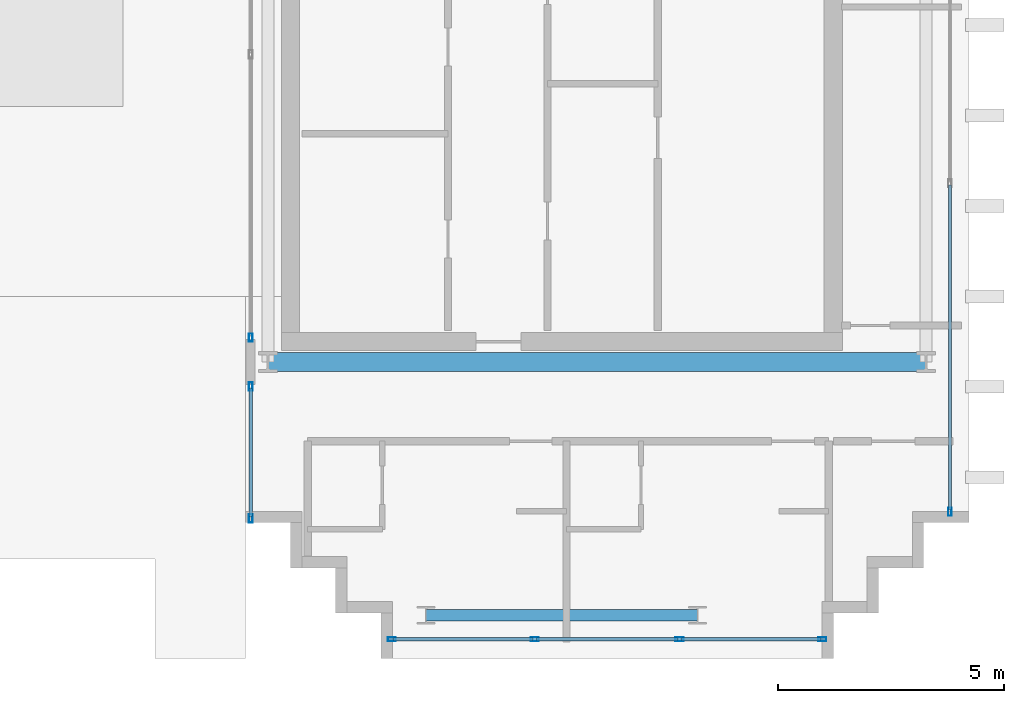
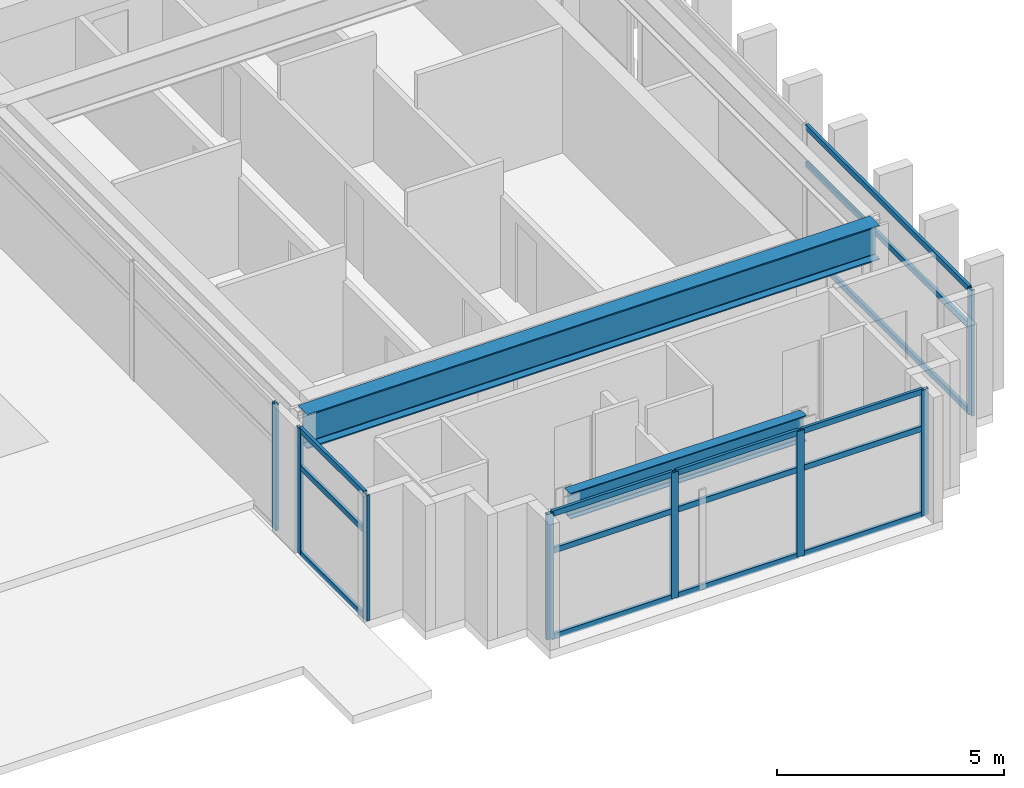
# One storey, part 8 of 25: 23 members, 2 beams, 4 elements without a shape of their own.
"""IFC4 building model written with IfcOpenShell, lengths in metres."""

from ifc_helpers import new_model, si_unit, direction, frame, origin, origin_2d, place, context, subcontext, project, spatial, hollow_rectangle, i_section, extrude, source, transform, mapped, material, layer, layer_set, material_profile, profile_set, type_object, element, aggregate, save


model = new_model("IFC4")

# Units and contexts
model_context = context("Model", 3, precision=1e-05, world=origin(), true_north=direction((0.0, 1.0)))
body_context = subcontext(model_context, "Body", "Model", "MODEL_VIEW")
ifc_project = project(units=[si_unit("LENGTHUNIT", "METRE"), si_unit("AREAUNIT", "SQUARE_METRE"), si_unit("VOLUMEUNIT", "CUBIC_METRE"), si_unit("PLANEANGLEUNIT", "RADIAN"), si_unit("MASSUNIT", "GRAM", prefix="KILO")], contexts=[model_context])

# Site, building, storey
site_placement = place(None, origin())
site = spatial("IfcSite", under=ifc_project, at=site_placement, CompositionType="ELEMENT")
building_placement = place(site_placement, origin())
building = spatial("IfcBuilding", under=site, at=building_placement, Name="Ocotamira Hotel", CompositionType="ELEMENT")
storey_placement = place(building_placement, frame((0.0, 0.0, 250.800048828125)))
storey = spatial("IfcBuildingStorey", under=building, at=storey_placement, Name="L63", CompositionType="ELEMENT", Elevation=250.800048828125)

# Beams
ifc_material_1 = material(Name="Steel ASTM A992 Grade 50", Category="steel")
ifc_material_profile_1 = material_profile(ifc_material_1, i_section(OverallWidth=0.41796875, OverallDepth=0.927001953125, WebThickness=0.019287109375, FlangeThickness=0.031982421875, FilletRadius=0.02392578125, at=origin_2d()), Name="W36X231")
ifc_profile_set_1 = profile_set([ifc_material_profile_1], Name="Steel ASTM A992 Grade 50")
beam_type_1 = type_object("IfcBeamType", Name="BM-GIRD-W36X231", PredefinedType="BEAM", material=ifc_profile_set_1)
shared_shape_1 = source(origin(), body_context, "Body", "SweptSolid", [
    extrude(i_section(OverallWidth=0.41796875, OverallDepth=0.927001953125, WebThickness=0.019287109375, FlangeThickness=0.031982421875, FilletRadius=0.02392578125, at=origin_2d()), origin(), (0.0, 0.0, 1.0), 14.550048828125),
])
beam_1_placement = place(storey_placement, frame((40.5, 14.550048828125, 2.91650390625), z_axis=(1.0, 0.0, 0.0), x_axis=(0.0, 1.0, 0.0)))
element("IfcBeam", 1, at=beam_1_placement, inside=storey, type_object=beam_type_1, Name="L63 Girder Y14.55 X40.5-55.05", PredefinedType="BEAM", context=body_context, shape_type="MappedRepresentation", body=[
    mapped(shared_shape_1, transform((0.0, 0.0, 0.0), scale=1.0)),
])
ifc_material_profile_2 = material_profile(ifc_material_1, i_section(OverallWidth=0.256103515625, OverallDepth=0.693115234375, WebThickness=0.014404296875, FlangeThickness=0.023681640625, FilletRadius=0.01611328125, at=origin_2d()), Name="W27X114")
ifc_profile_set_2 = profile_set([ifc_material_profile_2], Name="Steel ASTM A992 Grade 50")
beam_type_2 = type_object("IfcBeamType", Name="BM-PRIM-W27X114", PredefinedType="BEAM", material=ifc_profile_set_2)
shared_shape_2 = source(origin(), body_context, "Body", "SweptSolid", [
    extrude(i_section(OverallWidth=0.256103515625, OverallDepth=0.693115234375, WebThickness=0.014404296875, FlangeThickness=0.023681640625, FilletRadius=0.01611328125, at=origin_2d()), origin(), (0.0, 0.0, 1.0), 6.0),
])
beam_2_placement = place(storey_placement, frame((44.0, 8.949951171875, 3.033447265625), z_axis=(1.0, 0.0, 0.0), x_axis=(0.0, 1.0, 0.0)))
element("IfcBeam", 2, at=beam_2_placement, inside=storey, type_object=beam_type_2, Name="L63 Girder Y8.95 X44-50", PredefinedType="BEAM", context=body_context, shape_type="MappedRepresentation", body=[
    mapped(shared_shape_2, transform((0.0, 0.0, 0.0), scale=1.0)),
])

# Curtain wall, members
ifc_material_2 = material(Name="Anodised pale-metal aluminium and solar glass", Category="aluminium")
ifc_layer = layer(ifc_material_2, 0.2099609375)
ifc_layer_set = layer_set([ifc_layer], Name="Anodised pale-metal aluminium and solar glass")
curtain_wall_type = type_object("IfcCurtainWallType", Name="CW-SYS7-PEAK", PredefinedType="NOTDEFINED", material=ifc_layer_set)
curtain_wall_1_placement = place(storey_placement, origin())
curtain_wall_1 = element("IfcCurtainWall", 3, at=curtain_wall_1_placement, inside=storey, type_object=curtain_wall_type, Name="L63 Curtain Wall CW-7 CW-L63-ES", PredefinedType="NOTDEFINED")
ifc_material_3 = material(Name="Anodised pale-metal aluminium 6063-T6", Category="aluminium")
ifc_material_profile_3 = material_profile(ifc_material_3, hollow_rectangle(XDim=0.080078125, YDim=0.179931640625, WallThickness=0.006103515625, at=origin_2d()), Name="HSS180X80X6")
ifc_profile_set_3 = profile_set([ifc_material_profile_3], Name="Anodised pale-metal aluminium 6063-T6")
member_type_1 = type_object("IfcMemberType", Name="CWM-180X75", PredefinedType="MULLION", material=ifc_profile_set_3)
shared_shape_3 = source(origin(), body_context, "Body", "SweptSolid", [
    extrude(hollow_rectangle(XDim=0.080078125, YDim=0.179931640625, WallThickness=0.006103515625, at=origin_2d()), origin(), (0.0, 0.0, 1.0), 3.3798828125),
])
member_1_placement = place(storey_placement, frame((43.239990234375, 8.419921875, 0.0), z_axis=(0.0, 0.0, 1.0), x_axis=(0.0, 1.0, 0.0)))
member_1 = element("IfcMember", 4, at=member_1_placement, type_object=member_type_1, Name="CW-7 mullion 1", PredefinedType="MULLION", context=body_context, shape_type="MappedRepresentation", body=[
    mapped(shared_shape_3, transform((0.0, 0.0, 0.0), scale=1.0)),
])
member_2_placement = place(storey_placement, frame((46.39990234375, 8.419921875, 0.0), z_axis=(0.0, 0.0, 1.0), x_axis=(0.0, 1.0, 0.0)))
member_2 = element("IfcMember", 5, at=member_2_placement, type_object=member_type_1, Name="CW-7 mullion 2", PredefinedType="MULLION", context=body_context, shape_type="MappedRepresentation", body=[
    mapped(shared_shape_3, transform((0.0, 0.0, 0.0), scale=1.0)),
])
member_3_placement = place(storey_placement, frame((49.60009765625, 8.419921875, 0.0), z_axis=(0.0, 0.0, 1.0), x_axis=(0.0, 1.0, 0.0)))
member_3 = element("IfcMember", 6, at=member_3_placement, type_object=member_type_1, Name="CW-7 mullion 3", PredefinedType="MULLION", context=body_context, shape_type="MappedRepresentation", body=[
    mapped(shared_shape_3, transform((0.0, 0.0, 0.0), scale=1.0)),
])
member_4_placement = place(storey_placement, frame((52.760009765625, 8.419921875, 0.0), z_axis=(0.0, 0.0, 1.0), x_axis=(0.0, 1.0, 0.0)))
member_4 = element("IfcMember", 7, at=member_4_placement, type_object=member_type_1, Name="CW-7 mullion 4", PredefinedType="MULLION", context=body_context, shape_type="MappedRepresentation", body=[
    mapped(shared_shape_3, transform((0.0, 0.0, 0.0), scale=1.0)),
])

# Curtain wall, member
curtain_wall_2_placement = place(storey_placement, origin())
curtain_wall_2 = element("IfcCurtainWall", 8, at=curtain_wall_2_placement, inside=storey, type_object=curtain_wall_type, Name="L63 Curtain Wall CW-7 CW-L63-EO1", PredefinedType="NOTDEFINED")
member_5_placement = place(storey_placement, frame((55.580078125, 11.239990234375, 0.0), z_axis=(0.0, 0.0, 1.0), x_axis=(-1.0, 0.0, 0.0)))
member_5 = element("IfcMember", 9, at=member_5_placement, type_object=member_type_1, Name="CW-7 mullion 1", PredefinedType="MULLION", context=body_context, shape_type="MappedRepresentation", body=[
    mapped(shared_shape_3, transform((0.0, 0.0, 0.0), scale=1.0)),
])

# Curtain wall, members
curtain_wall_3_placement = place(storey_placement, origin())
curtain_wall_3 = element("IfcCurtainWall", 10, at=curtain_wall_3_placement, inside=storey, type_object=curtain_wall_type, Name="L63 Curtain Wall CW-7 CW-L63-EI1", PredefinedType="NOTDEFINED")
member_6_placement = place(storey_placement, frame((40.1201171875, 11.090087890625, 0.0), z_axis=(0.0, 0.0, 1.0), x_axis=(-1.0, 0.0, 0.0)))
member_6 = element("IfcMember", 11, at=member_6_placement, type_object=member_type_1, Name="CW-7 mullion 1", PredefinedType="MULLION", context=body_context, shape_type="MappedRepresentation", body=[
    mapped(shared_shape_3, transform((0.0, 0.0, 0.0), scale=1.0)),
])
member_7_placement = place(storey_placement, frame((40.1201171875, 14.010009765625, 0.0), z_axis=(0.0, 0.0, 1.0), x_axis=(-1.0, 0.0, 0.0)))
member_7 = element("IfcMember", 12, at=member_7_placement, type_object=member_type_1, Name="CW-7 mullion 2", PredefinedType="MULLION", context=body_context, shape_type="MappedRepresentation", body=[
    mapped(shared_shape_3, transform((0.0, 0.0, 0.0), scale=1.0)),
])

# Curtain wall, member
curtain_wall_4_placement = place(storey_placement, origin())
curtain_wall_4 = element("IfcCurtainWall", 13, at=curtain_wall_4_placement, inside=storey, type_object=curtain_wall_type, Name="L63 Curtain Wall CW-7 CW-L63-EI2", PredefinedType="NOTDEFINED")
member_8_placement = place(storey_placement, frame((40.1201171875, 15.090087890625, 0.0), z_axis=(0.0, 0.0, 1.0), x_axis=(-1.0, 0.0, 0.0)))
member_8 = element("IfcMember", 14, at=member_8_placement, type_object=member_type_1, Name="CW-7 mullion 1", PredefinedType="MULLION", context=body_context, shape_type="MappedRepresentation", body=[
    mapped(shared_shape_3, transform((0.0, 0.0, 0.0), scale=1.0)),
])
aggregate(curtain_wall_4, [member_8])

# Member
ifc_material_profile_4 = material_profile(ifc_material_3, hollow_rectangle(XDim=0.074951171875, YDim=0.14990234375, WallThickness=0.006103515625, at=origin_2d()), Name="HSS150X75X6")
ifc_profile_set_4 = profile_set([ifc_material_profile_4], Name="Anodised pale-metal aluminium 6063-T6")
member_type_2 = type_object("IfcMemberType", Name="CWT-150X75", PredefinedType="USERDEFINED", material=ifc_profile_set_4)
shared_shape_4 = source(origin(), body_context, "Body", "SweptSolid", [
    extrude(hollow_rectangle(XDim=0.074951171875, YDim=0.14990234375, WallThickness=0.006103515625, at=origin_2d()), origin(), (0.0, 0.0, 1.0), 3.080078125),
])
member_9_placement = place(storey_placement, frame((43.280029296875, 8.419921875, 0.037353515625), z_axis=(1.0, 0.0, 0.0), x_axis=(0.0, 1.0, 0.0)))
member_9 = element("IfcMember", 15, at=member_9_placement, type_object=member_type_2, Name="CW-7 transom 1.1", ObjectType="TRANSOM", PredefinedType="USERDEFINED", context=body_context, shape_type="MappedRepresentation", body=[
    mapped(shared_shape_4, transform((0.0, 0.0, 0.0), scale=1.0)),
])

member_10_placement = place(storey_placement, frame((43.280029296875, 8.419921875, 2.349853515625), z_axis=(1.0, 0.0, 0.0), x_axis=(0.0, 1.0, 0.0)))
member_10 = element("IfcMember", 16, at=member_10_placement, type_object=member_type_2, Name="CW-7 transom 1.2", ObjectType="TRANSOM", PredefinedType="USERDEFINED", context=body_context, shape_type="MappedRepresentation", body=[
    mapped(shared_shape_4, transform((0.0, 0.0, 0.0), scale=1.0)),
])

member_11_placement = place(storey_placement, frame((43.280029296875, 8.419921875, 3.342529296875), z_axis=(1.0, 0.0, 0.0), x_axis=(0.0, 1.0, 0.0)))
member_11 = element("IfcMember", 17, at=member_11_placement, type_object=member_type_2, Name="CW-7 transom 1.3", ObjectType="TRANSOM", PredefinedType="USERDEFINED", context=body_context, shape_type="MappedRepresentation", body=[
    mapped(shared_shape_4, transform((0.0, 0.0, 0.0), scale=1.0)),
])

member_12_placement = place(storey_placement, frame((49.639892578125, 8.419921875, 0.037353515625), z_axis=(1.0, 0.0, 0.0), x_axis=(0.0, 1.0, 0.0)))
member_12 = element("IfcMember", 18, at=member_12_placement, type_object=member_type_2, Name="CW-7 transom 3.1", ObjectType="TRANSOM", PredefinedType="USERDEFINED", context=body_context, shape_type="MappedRepresentation", body=[
    mapped(shared_shape_4, transform((0.0, 0.0, 0.0), scale=1.0)),
])

member_13_placement = place(storey_placement, frame((49.639892578125, 8.419921875, 2.349853515625), z_axis=(1.0, 0.0, 0.0), x_axis=(0.0, 1.0, 0.0)))
member_13 = element("IfcMember", 19, at=member_13_placement, type_object=member_type_2, Name="CW-7 transom 3.2", ObjectType="TRANSOM", PredefinedType="USERDEFINED", context=body_context, shape_type="MappedRepresentation", body=[
    mapped(shared_shape_4, transform((0.0, 0.0, 0.0), scale=1.0)),
])

member_14_placement = place(storey_placement, frame((49.639892578125, 8.419921875, 3.342529296875), z_axis=(1.0, 0.0, 0.0), x_axis=(0.0, 1.0, 0.0)))
member_14 = element("IfcMember", 20, at=member_14_placement, type_object=member_type_2, Name="CW-7 transom 3.3", ObjectType="TRANSOM", PredefinedType="USERDEFINED", context=body_context, shape_type="MappedRepresentation", body=[
    mapped(shared_shape_4, transform((0.0, 0.0, 0.0), scale=1.0)),
])

shared_shape_5 = source(origin(), body_context, "Body", "SweptSolid", [
    extrude(hollow_rectangle(XDim=0.074951171875, YDim=0.14990234375, WallThickness=0.006103515625, at=origin_2d()), origin(), (0.0, 0.0, 1.0), 3.1201171875),
])
member_15_placement = place(storey_placement, frame((46.43994140625, 8.419921875, 0.037353515625), z_axis=(1.0, 0.0, 0.0), x_axis=(0.0, 1.0, 0.0)))
member_15 = element("IfcMember", 21, at=member_15_placement, type_object=member_type_2, Name="CW-7 transom 2.1", ObjectType="TRANSOM", PredefinedType="USERDEFINED", context=body_context, shape_type="MappedRepresentation", body=[
    mapped(shared_shape_5, transform((0.0, 0.0, 0.0), scale=1.0)),
])

member_16_placement = place(storey_placement, frame((46.43994140625, 8.419921875, 2.349853515625), z_axis=(1.0, 0.0, 0.0), x_axis=(0.0, 1.0, 0.0)))
member_16 = element("IfcMember", 22, at=member_16_placement, type_object=member_type_2, Name="CW-7 transom 2.2", ObjectType="TRANSOM", PredefinedType="USERDEFINED", context=body_context, shape_type="MappedRepresentation", body=[
    mapped(shared_shape_5, transform((0.0, 0.0, 0.0), scale=1.0)),
])

member_17_placement = place(storey_placement, frame((46.43994140625, 8.419921875, 3.342529296875), z_axis=(1.0, 0.0, 0.0), x_axis=(0.0, 1.0, 0.0)))
member_17 = element("IfcMember", 23, at=member_17_placement, type_object=member_type_2, Name="CW-7 transom 2.3", ObjectType="TRANSOM", PredefinedType="USERDEFINED", context=body_context, shape_type="MappedRepresentation", body=[
    mapped(shared_shape_5, transform((0.0, 0.0, 0.0), scale=1.0)),
])

aggregate(curtain_wall_1, [member_1, member_2, member_3, member_4, member_9, member_10, member_11, member_15, member_16, member_17, member_12, member_13, member_14])

shared_shape_6 = source(origin(), body_context, "Body", "SweptSolid", [
    extrude(hollow_rectangle(XDim=0.074951171875, YDim=0.14990234375, WallThickness=0.006103515625, at=origin_2d()), origin(), (0.0, 0.0, 1.0), 7.179931640625),
])
member_18_placement = place(storey_placement, frame((55.580078125, 11.280029296875, 0.037353515625), z_axis=(0.0, 1.0, 0.0), x_axis=(-1.0, 0.0, 0.0)))
member_18 = element("IfcMember", 24, at=member_18_placement, type_object=member_type_2, Name="CW-7 transom 1.1", ObjectType="TRANSOM", PredefinedType="USERDEFINED", context=body_context, shape_type="MappedRepresentation", body=[
    mapped(shared_shape_6, transform((0.0, 0.0, 0.0), scale=1.0)),
])

member_19_placement = place(storey_placement, frame((55.580078125, 11.280029296875, 2.349853515625), z_axis=(0.0, 1.0, 0.0), x_axis=(-1.0, 0.0, 0.0)))
member_19 = element("IfcMember", 25, at=member_19_placement, type_object=member_type_2, Name="CW-7 transom 1.2", ObjectType="TRANSOM", PredefinedType="USERDEFINED", context=body_context, shape_type="MappedRepresentation", body=[
    mapped(shared_shape_6, transform((0.0, 0.0, 0.0), scale=1.0)),
])

member_20_placement = place(storey_placement, frame((55.580078125, 11.280029296875, 3.342529296875), z_axis=(0.0, 1.0, 0.0), x_axis=(-1.0, 0.0, 0.0)))
member_20 = element("IfcMember", 26, at=member_20_placement, type_object=member_type_2, Name="CW-7 transom 1.3", ObjectType="TRANSOM", PredefinedType="USERDEFINED", context=body_context, shape_type="MappedRepresentation", body=[
    mapped(shared_shape_6, transform((0.0, 0.0, 0.0), scale=1.0)),
])

aggregate(curtain_wall_2, [member_5, member_18, member_19, member_20])

shared_shape_7 = source(origin(), body_context, "Body", "SweptSolid", [
    extrude(hollow_rectangle(XDim=0.074951171875, YDim=0.14990234375, WallThickness=0.006103515625, at=origin_2d()), origin(), (0.0, 0.0, 1.0), 2.840087890625),
])
member_21_placement = place(storey_placement, frame((40.1201171875, 11.1298828125, 0.037353515625), z_axis=(0.0, 1.0, 0.0), x_axis=(-1.0, 0.0, 0.0)))
member_21 = element("IfcMember", 27, at=member_21_placement, type_object=member_type_2, Name="CW-7 transom 1.1", ObjectType="TRANSOM", PredefinedType="USERDEFINED", context=body_context, shape_type="MappedRepresentation", body=[
    mapped(shared_shape_7, transform((0.0, 0.0, 0.0), scale=1.0)),
])

member_22_placement = place(storey_placement, frame((40.1201171875, 11.1298828125, 2.349853515625), z_axis=(0.0, 1.0, 0.0), x_axis=(-1.0, 0.0, 0.0)))
member_22 = element("IfcMember", 28, at=member_22_placement, type_object=member_type_2, Name="CW-7 transom 1.2", ObjectType="TRANSOM", PredefinedType="USERDEFINED", context=body_context, shape_type="MappedRepresentation", body=[
    mapped(shared_shape_7, transform((0.0, 0.0, 0.0), scale=1.0)),
])

member_23_placement = place(storey_placement, frame((40.1201171875, 11.1298828125, 3.342529296875), z_axis=(0.0, 1.0, 0.0), x_axis=(-1.0, 0.0, 0.0)))
member_23 = element("IfcMember", 29, at=member_23_placement, type_object=member_type_2, Name="CW-7 transom 1.3", ObjectType="TRANSOM", PredefinedType="USERDEFINED", context=body_context, shape_type="MappedRepresentation", body=[
    mapped(shared_shape_7, transform((0.0, 0.0, 0.0), scale=1.0)),
])

aggregate(curtain_wall_3, [member_6, member_7, member_21, member_22, member_23])

save(model, "model.ifc")
